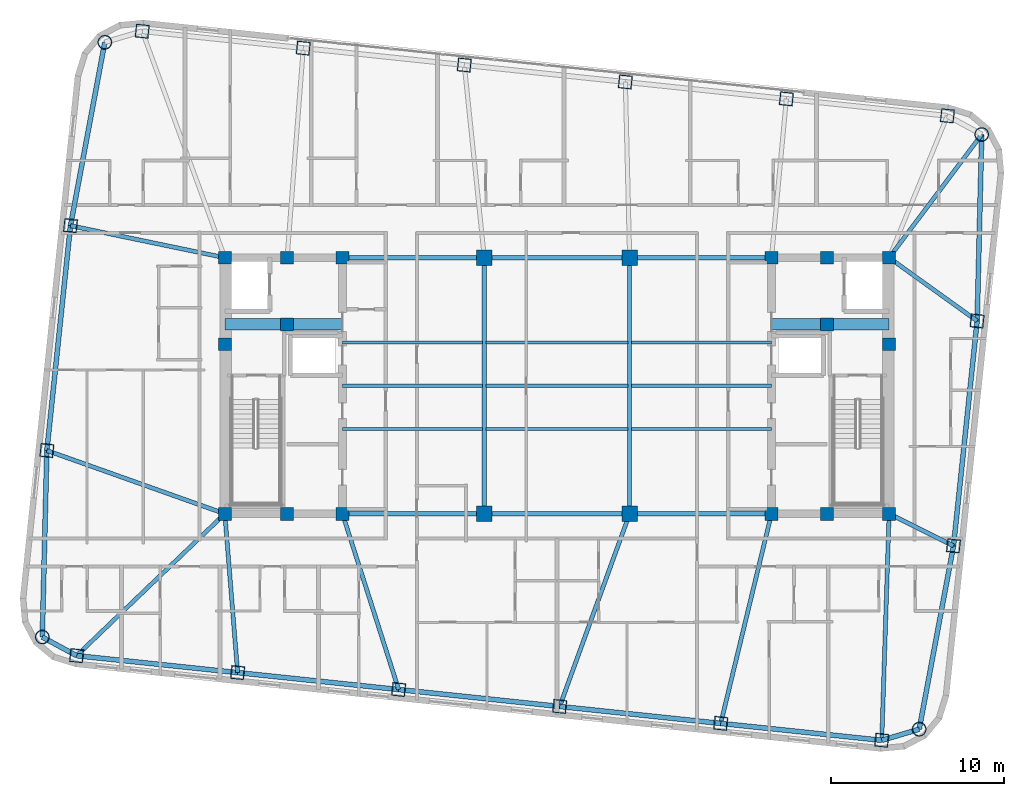
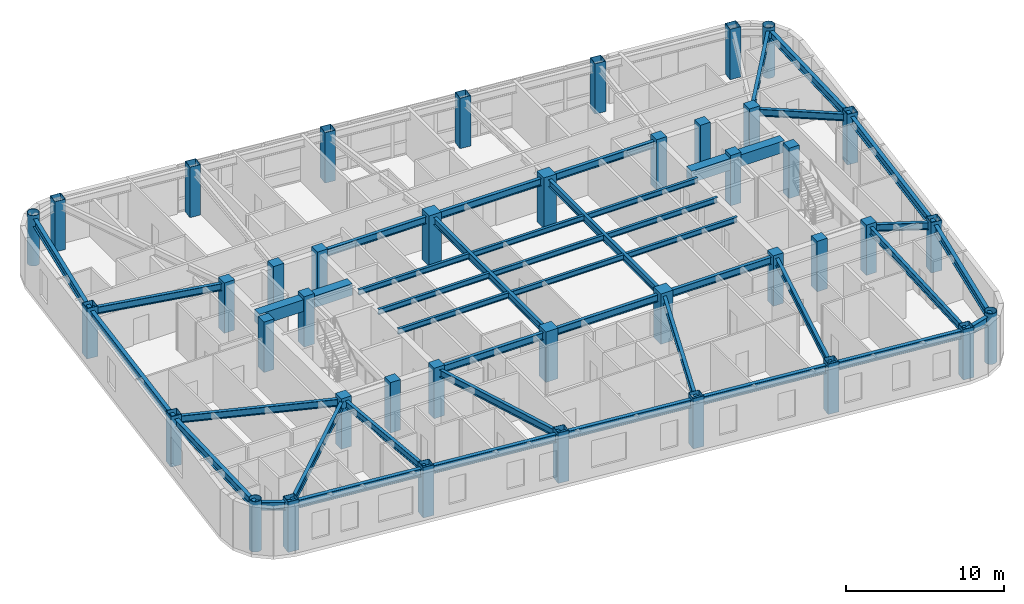
# One storey, part 1 of 15: 43 beams, 40 columns.
"""IFC4 building model written with IfcOpenShell, lengths in metres."""

from ifc_helpers import new_model, si_unit, direction, frame, origin, origin_2d, place, context, subcontext, project, spatial, rectangle, hollow_rectangle, hollow_circle, i_section, extrude, material, material_profile, profile_set, type_object, element, save


model = new_model("IFC4")

# Units and contexts
model_context = context("Model", 3, precision=1e-05, world=origin(), true_north=direction((0.0, 1.0)))
body_context = subcontext(model_context, "Body", "Model", "MODEL_VIEW")
ifc_project = project(units=[si_unit("LENGTHUNIT", "METRE"), si_unit("AREAUNIT", "SQUARE_METRE"), si_unit("VOLUMEUNIT", "CUBIC_METRE"), si_unit("PLANEANGLEUNIT", "RADIAN"), si_unit("MASSUNIT", "GRAM", prefix="KILO")], contexts=[model_context])

# Site, building, storey
site_placement = place(None, origin())
site = spatial("IfcSite", under=ifc_project, at=site_placement, CompositionType="ELEMENT")
building_placement = place(site_placement, origin())
building = spatial("IfcBuilding", under=site, at=building_placement, Name="Voryun Gate Residences", CompositionType="ELEMENT")
storey_placement = place(building_placement, frame((0.0, 0.0, 263.89990234375)))
storey = spatial("IfcBuildingStorey", under=building, at=storey_placement, Name="L65", CompositionType="ELEMENT", Elevation=263.89990234375)

# Columns
ifc_material_1 = material(Name="Concrete C50/60", Category="concrete")
ifc_material_profile_1 = material_profile(ifc_material_1, rectangle(XDim=0.75, YDim=0.75, at=origin_2d()), Name="RC-750x750")
ifc_profile_set_1 = profile_set([ifc_material_profile_1], Name="Concrete C50/60")
column_type_1 = type_object("IfcColumnType", Name="COL_CORE_750", PredefinedType="COLUMN", material=ifc_profile_set_1)
for number, where, z_axis, x_axis, name in (
    (1, (-19.199951171875, -7.39990234375, 0.0), (0.0, 0.0, 1.0), (1.0, 0.0, 0.0), "L65 Core boundary column WC-SW"),
    (2, (-19.199951171875, 2.39990234375, 0.0), (0.0, 0.0, 1.0), (1.0, 0.0, 0.0), "L65 Core boundary column WC-MW"),
    (3, (-19.199951171875, 7.39990234375, 0.0), (0.0, 0.0, 1.0), (1.0, 0.0, 0.0), "L65 Core boundary column WC-NW"),
    (4, (-15.60009765625, -7.39990234375, 0.0), (0.0, 0.0, 1.0), (1.0, 0.0, 0.0), "L65 Core boundary column WC-SM"),
    (5, (-15.60009765625, 7.39990234375, 0.0), (0.0, 0.0, 1.0), (1.0, 0.0, 0.0), "L65 Core boundary column WC-NM"),
    (6, (-12.39990234375, -7.39990234375, 0.0), (0.0, 0.0, 1.0), (1.0, 0.0, 0.0), "L65 Core boundary column WC-SE"),
    (7, (-15.60009765625, 3.550048828125, 0.0), (0.0, 0.0, 1.0), (1.0, 0.0, 0.0), "L65 Core boundary column WC-MM"),
    (8, (-12.39990234375, 7.39990234375, 0.0), (0.0, 0.0, 1.0), (1.0, 0.0, 0.0), "L65 Core boundary column WC-NE"),
    (9, (12.39990234375, -7.39990234375, 0.0), (0.0, 0.0, 1.0), (1.0, 0.0, 0.0), "L65 Core boundary column EC-SW"),
    (10, (15.60009765625, 3.550048828125, 0.0), (0.0, 0.0, 1.0), (1.0, 0.0, 0.0), "L65 Core boundary column EC-MM"),
    (11, (12.39990234375, 7.39990234375, 0.0), (0.0, 0.0, 1.0), (1.0, 0.0, 0.0), "L65 Core boundary column EC-NW"),
    (12, (15.60009765625, -7.39990234375, 0.0), (0.0, 0.0, 1.0), (1.0, 0.0, 0.0), "L65 Core boundary column EC-SM"),
    (13, (15.60009765625, 7.39990234375, 0.0), (0.0, 0.0, 1.0), (1.0, 0.0, 0.0), "L65 Core boundary column EC-NM"),
    (14, (19.199951171875, -7.39990234375, 0.0), (0.0, 0.0, 1.0), (1.0, 0.0, 0.0), "L65 Core boundary column EC-SE"),
    (15, (19.199951171875, 2.39990234375, 0.0), (0.0, 0.0, 1.0), (1.0, 0.0, 0.0), "L65 Core boundary column EC-ME"),
    (16, (19.199951171875, 7.39990234375, 0.0), (0.0, 0.0, 1.0), (1.0, 0.0, 0.0), "L65 Core boundary column EC-NE"),
):
    element("IfcColumn", number, at=place(storey_placement, frame(where, z_axis=z_axis, x_axis=x_axis)), inside=storey, type_object=column_type_1, Name=name, PredefinedType="COLUMN", context=body_context, shape_type="SweptSolid", body=[
        extrude(rectangle(XDim=0.75, YDim=0.75, at=origin_2d()), origin(), (0.0, 0.0, 1.0), 3.900146484375),
    ])
ifc_material_2 = material(Name="Concrete C50/60", Category="concrete")
ifc_material_profile_2 = material_profile(ifc_material_2, rectangle(XDim=0.89990234375, YDim=0.89990234375, at=origin_2d()), Name="RC-900x900")
ifc_profile_set_2 = profile_set([ifc_material_profile_2], Name="Concrete C50/60")
column_type_2 = type_object("IfcColumnType", Name="COL_CORE_900", PredefinedType="COLUMN", material=ifc_profile_set_2)
for number, where, z_axis, x_axis, name in (
    (17, (-4.199951171875, -7.39990234375, 0.0), (0.0, 0.0, 1.0), (1.0, 0.0, 0.0), "L65 Interior spine column SP-WS"),
    (18, (-4.199951171875, 7.39990234375, 0.0), (0.0, 0.0, 1.0), (1.0, 0.0, 0.0), "L65 Interior spine column SP-WN"),
    (19, (4.199951171875, -7.39990234375, 0.0), (0.0, 0.0, 1.0), (1.0, 0.0, 0.0), "L65 Interior spine column SP-ES"),
    (20, (4.199951171875, 7.39990234375, 0.0), (0.0, 0.0, 1.0), (1.0, 0.0, 0.0), "L65 Interior spine column SP-EN"),
):
    element("IfcColumn", number, at=place(storey_placement, frame(where, z_axis=z_axis, x_axis=x_axis)), inside=storey, type_object=column_type_2, Name=name, PredefinedType="COLUMN", context=body_context, shape_type="SweptSolid", body=[
        extrude(rectangle(XDim=0.89990234375, YDim=0.89990234375, at=origin_2d()), origin(), (0.0, 0.0, 1.0), 3.900146484375),
    ])
ifc_material_3 = material(Name="Steel SM355", Category="steel")
ifc_material_profile_3 = material_profile(ifc_material_3, hollow_circle(Radius=0.39990234375, WallThickness=0.028076171875, at=origin_2d()), Name="CHS-800x28")
ifc_profile_set_3 = profile_set([ifc_material_profile_3], Name="Steel SM355")
column_type_3 = type_object("IfcColumnType", Name="COL_CRN_800", PredefinedType="COLUMN", material=ifc_profile_set_3)
for number, where, z_axis, x_axis, name in (
    (21, (20.939453125, -19.855224609375, 0.0), (0.0, 0.0, 1.0), (0.994521895368, -0.104528463268, 0.0), "L65 Exoskeleton column CSE"),
    (22, (24.55322265625, 14.52734375, 0.0), (0.0, 0.0, 1.0), (0.994521895368, -0.104528463268, 0.0), "L65 Exoskeleton column CNE"),
    (23, (-26.139404296875, 19.855224609375, 0.0), (0.0, 0.0, 1.0), (0.994521895368, -0.104528463268, 0.0), "L65 Exoskeleton column CNW"),
    (24, (-29.753173828125, -14.52734375, 0.0), (0.0, 0.0, 1.0), (0.994521895368, -0.104528463268, 0.0), "L65 Exoskeleton column CSW"),
):
    element("IfcColumn", number, at=place(storey_placement, frame(where, z_axis=z_axis, x_axis=x_axis)), inside=storey, type_object=column_type_3, Name=name, PredefinedType="COLUMN", context=body_context, shape_type="SweptSolid", body=[
        extrude(hollow_circle(Radius=0.39990234375, WallThickness=0.028076171875, at=origin_2d()), origin(), (0.0, 0.0, 1.0), 3.900146484375),
    ])
ifc_material_4 = material(Name="Steel SM355", Category="steel")
ifc_material_profile_4 = material_profile(ifc_material_4, hollow_rectangle(XDim=0.75, YDim=0.75, WallThickness=0.02490234375, at=origin_2d()), Name="BOX-750x750x25")
ifc_profile_set_4 = profile_set([ifc_material_profile_4], Name="Steel SM355")
column_type_4 = type_object("IfcColumnType", Name="COL_EXO_B5", PredefinedType="COLUMN", material=ifc_profile_set_4)
for number, where, z_axis, x_axis, name in (
    (25, (-27.76904296875, -15.6044921875, 0.0), (0.0, 0.0, 1.0), (0.994521895368, -0.104528463268, 0.0), "L65 Exoskeleton column S1"),
    (26, (-18.460205078125, -16.5830078125, 0.0), (0.0, 0.0, 1.0), (0.994521895368, -0.104528463268, 0.0), "L65 Exoskeleton column S2"),
    (27, (-9.151611328125, -17.561279296875, 0.0), (0.0, 0.0, 1.0), (0.994521895368, -0.104528463268, 0.0), "L65 Exoskeleton column S3"),
    (28, (0.1572265625, -18.539794921875, 0.0), (0.0, 0.0, 1.0), (0.994521895368, -0.104528463268, 0.0), "L65 Exoskeleton column S4"),
    (29, (9.4658203125, -19.51806640625, 0.0), (0.0, 0.0, 1.0), (0.994521895368, -0.104528463268, 0.0), "L65 Exoskeleton column S5"),
    (30, (18.774658203125, -20.49658203125, 0.0), (0.0, 0.0, 1.0), (0.994521895368, -0.104528463268, 0.0), "L65 Exoskeleton column S6"),
    (31, (22.922607421875, -9.25244140625, 0.0), (0.0, 0.0, 1.0), (0.994521895368, -0.104528463268, 0.0), "L65 Exoskeleton column E1"),
    (32, (24.28857421875, 3.743896484375, 0.0), (0.0, 0.0, 1.0), (0.994521895368, -0.104528463268, 0.0), "L65 Exoskeleton column E2"),
    (33, (22.569091796875, 15.6044921875, 0.0), (0.0, 0.0, 1.0), (0.994521895368, -0.104528463268, 0.0), "L65 Exoskeleton column N1"),
    (34, (13.26025390625, 16.5830078125, 0.0), (0.0, 0.0, 1.0), (0.994521895368, -0.104528463268, 0.0), "L65 Exoskeleton column N2"),
    (35, (3.95166015625, 17.561279296875, 0.0), (0.0, 0.0, 1.0), (0.994521895368, -0.104528463268, 0.0), "L65 Exoskeleton column N3"),
    (36, (-5.357177734375, 18.539794921875, 0.0), (0.0, 0.0, 1.0), (0.994521895368, -0.104528463268, 0.0), "L65 Exoskeleton column N4"),
    (37, (-14.666015625, 19.51806640625, 0.0), (0.0, 0.0, 1.0), (0.994521895368, -0.104528463268, 0.0), "L65 Exoskeleton column N5"),
    (38, (-23.974609375, 20.49658203125, 0.0), (0.0, 0.0, 1.0), (0.994521895368, -0.104528463268, 0.0), "L65 Exoskeleton column N6"),
    (39, (-28.12255859375, 9.25244140625, 0.0), (0.0, 0.0, 1.0), (0.994521895368, -0.104528463268, 0.0), "L65 Exoskeleton column W1"),
    (40, (-29.488525390625, -3.743896484375, 0.0), (0.0, 0.0, 1.0), (0.994521895368, -0.104528463268, 0.0), "L65 Exoskeleton column W2"),
):
    element("IfcColumn", number, at=place(storey_placement, frame(where, z_axis=z_axis, x_axis=x_axis)), inside=storey, type_object=column_type_4, Name=name, PredefinedType="COLUMN", context=body_context, shape_type="SweptSolid", body=[
        extrude(hollow_rectangle(XDim=0.75, YDim=0.75, WallThickness=0.02490234375, at=origin_2d()), origin(), (0.0, 0.0, 1.0), 3.900146484375),
    ])

# Beams
ifc_material_5 = material(Name="Concrete C60/75", Category="concrete")
ifc_material_profile_5 = material_profile(ifc_material_5, rectangle(XDim=0.64990234375, YDim=0.89990234375, at=origin_2d()), Name="RC-650x900")
ifc_profile_set_5 = profile_set([ifc_material_profile_5], Name="Concrete C60/75")
beam_type_1 = type_object("IfcBeamType", Name="BM_COUP_RC900", PredefinedType="LINTEL", material=ifc_profile_set_5)
for number, where, z_axis, x_axis, name in (
    (41, (-19.199951171875, 3.550048828125, 3.2001953125), (1.0, 0.0, 0.0), (0.0, 1.0, 0.0), "BM-L65-WC1"),
    (42, (12.39990234375, 3.550048828125, 3.2001953125), (1.0, 0.0, 0.0), (0.0, 1.0, 0.0), "BM-L65-EC1"),
):
    element("IfcBeam", number, at=place(storey_placement, frame(where, z_axis=z_axis, x_axis=x_axis)), inside=storey, type_object=beam_type_1, Name=name, PredefinedType="LINTEL", context=body_context, shape_type="SweptSolid", body=[
        extrude(rectangle(XDim=0.64990234375, YDim=0.89990234375, at=origin_2d()), origin(), (0.0, 0.0, 1.0), 6.800048828125),
    ])
ifc_material_6 = material(Name="Steel SM355", Category="steel")
ifc_material_profile_6 = material_profile(ifc_material_6, i_section(OverallWidth=0.280029296875, OverallDepth=0.6201171875, WebThickness=0.013916015625, FlangeThickness=0.02197265625, FilletRadius=0.01806640625, at=origin_2d()), Name="H-620x280x14x22")
ifc_profile_set_6 = profile_set([ifc_material_profile_6], Name="Steel SM355")
beam_type_2 = type_object("IfcBeamType", Name="BM_EXO_SPANDREL_H", PredefinedType="SPANDREL", material=ifc_profile_set_6)
beam_1_placement = place(storey_placement, frame((-27.76904296875, -15.6044921875, 3.340087890625), z_axis=(0.994520592114, -0.104540862157, 0.0), x_axis=(0.104540862157, 0.994520592114, 0.0)))
element("IfcBeam", 43, at=beam_1_placement, inside=storey, type_object=beam_type_2, Name="BM-L65-SPAND-01", PredefinedType="SPANDREL", context=body_context, shape_type="SweptSolid", body=[
    extrude(i_section(OverallWidth=0.280029296875, OverallDepth=0.6201171875, WebThickness=0.013916015625, FlangeThickness=0.02197265625, FilletRadius=0.01806640625, at=origin_2d()), origin(), (0.0, 0.0, 1.0), 9.360107421875),
])
beam_2_placement = place(storey_placement, frame((-18.460205078125, -16.5830078125, 3.340087890625), z_axis=(0.994523018663, -0.104517775278, 0.0), x_axis=(0.104517775278, 0.994523018663, 0.0)))
element("IfcBeam", 44, at=beam_2_placement, inside=storey, type_object=beam_type_2, Name="BM-L65-SPAND-02", PredefinedType="SPANDREL", context=body_context, shape_type="SweptSolid", body=[
    extrude(i_section(OverallWidth=0.280029296875, OverallDepth=0.6201171875, WebThickness=0.013916015625, FlangeThickness=0.02197265625, FilletRadius=0.01806640625, at=origin_2d()), origin(), (0.0, 0.0, 1.0), 9.35986328125),
])
beam_3_placement = place(storey_placement, frame((-9.151611328125, -17.561279296875, 3.340087890625), z_axis=(0.994520592114, -0.104540862157, 0.0), x_axis=(0.104540862157, 0.994520592114, 0.0)))
element("IfcBeam", 45, at=beam_3_placement, inside=storey, type_object=beam_type_2, Name="BM-L65-SPAND-03", PredefinedType="SPANDREL", context=body_context, shape_type="SweptSolid", body=[
    extrude(i_section(OverallWidth=0.280029296875, OverallDepth=0.6201171875, WebThickness=0.013916015625, FlangeThickness=0.02197265625, FilletRadius=0.01806640625, at=origin_2d()), origin(), (0.0, 0.0, 1.0), 9.360107421875),
])
beam_4_placement = place(storey_placement, frame((0.1572265625, -18.539794921875, 3.340087890625), z_axis=(0.994523018663, -0.104517775278, 0.0), x_axis=(0.104517775278, 0.994523018663, 0.0)))
element("IfcBeam", 46, at=beam_4_placement, inside=storey, type_object=beam_type_2, Name="BM-L65-SPAND-04", PredefinedType="SPANDREL", context=body_context, shape_type="SweptSolid", body=[
    extrude(i_section(OverallWidth=0.280029296875, OverallDepth=0.6201171875, WebThickness=0.013916015625, FlangeThickness=0.02197265625, FilletRadius=0.01806640625, at=origin_2d()), origin(), (0.0, 0.0, 1.0), 9.35986328125),
])
beam_5_placement = place(storey_placement, frame((9.4658203125, -19.51806640625, 3.340087890625), z_axis=(0.994520592114, -0.104540862157, 0.0), x_axis=(0.104540862157, 0.994520592114, 0.0)))
element("IfcBeam", 47, at=beam_5_placement, inside=storey, type_object=beam_type_2, Name="BM-L65-SPAND-05", PredefinedType="SPANDREL", context=body_context, shape_type="SweptSolid", body=[
    extrude(i_section(OverallWidth=0.280029296875, OverallDepth=0.6201171875, WebThickness=0.013916015625, FlangeThickness=0.02197265625, FilletRadius=0.01806640625, at=origin_2d()), origin(), (0.0, 0.0, 1.0), 9.360107421875),
])
beam_6_placement = place(storey_placement, frame((18.774658203125, -20.49658203125, 3.340087890625), z_axis=(0.958805748412, 0.28406255792, 0.0), x_axis=(-0.28406255792, 0.958805748412, 0.0)))
element("IfcBeam", 48, at=beam_6_placement, inside=storey, type_object=beam_type_2, Name="BM-L65-SPAND-06", PredefinedType="SPANDREL", context=body_context, shape_type="SweptSolid", body=[
    extrude(i_section(OverallWidth=0.280029296875, OverallDepth=0.6201171875, WebThickness=0.013916015625, FlangeThickness=0.02197265625, FilletRadius=0.01806640625, at=origin_2d()), origin(), (0.0, 0.0, 1.0), 2.2578125),
])
beam_7_placement = place(storey_placement, frame((20.939453125, -19.855224609375, 3.340087890625), z_axis=(0.183852585596, 0.982953827384, 0.0), x_axis=(-0.982953827384, 0.183852585596, 0.0)))
element("IfcBeam", 49, at=beam_7_placement, inside=storey, type_object=beam_type_2, Name="BM-L65-SPAND-07", PredefinedType="SPANDREL", context=body_context, shape_type="SweptSolid", body=[
    extrude(i_section(OverallWidth=0.280029296875, OverallDepth=0.6201171875, WebThickness=0.013916015625, FlangeThickness=0.02197265625, FilletRadius=0.01806640625, at=origin_2d()), origin(), (0.0, 0.0, 1.0), 10.78662109375),
])
beam_8_placement = place(storey_placement, frame((22.922607421875, -9.25244140625, 3.340087890625), z_axis=(0.104528209082, 0.994521922084, 0.0), x_axis=(-0.994521922084, 0.104528209082, 0.0)))
element("IfcBeam", 50, at=beam_8_placement, inside=storey, type_object=beam_type_2, Name="BM-L65-SPAND-08", PredefinedType="SPANDREL", context=body_context, shape_type="SweptSolid", body=[
    extrude(i_section(OverallWidth=0.280029296875, OverallDepth=0.6201171875, WebThickness=0.013916015625, FlangeThickness=0.02197265625, FilletRadius=0.01806640625, at=origin_2d()), origin(), (0.0, 0.0, 1.0), 13.06787109375),
])
for number, where, z_axis, x_axis, name in (
    (51, (24.28857421875, 3.743896484375, 3.340087890625), (0.024534711967, 0.999698978647, 0.0), (-0.999698978647, 0.024534711967, 0.0), "BM-L65-SPAND-09"),
    (52, (-26.139404296875, 19.855224609375, 3.340087890625), (-0.183852585596, -0.982953827384, 0.0), (0.982953827384, -0.183852585596, 0.0), "BM-L65-SPAND-17"),
):
    element("IfcBeam", number, at=place(storey_placement, frame(where, z_axis=z_axis, x_axis=x_axis)), inside=storey, type_object=beam_type_2, Name=name, PredefinedType="SPANDREL", context=body_context, shape_type="SweptSolid", body=[
        extrude(i_section(OverallWidth=0.280029296875, OverallDepth=0.6201171875, WebThickness=0.013916015625, FlangeThickness=0.02197265625, FilletRadius=0.01806640625, at=origin_2d()), origin(), (0.0, 0.0, 1.0), 10.78662109375),
    ])
beam_9_placement = place(storey_placement, frame((-28.12255859375, 9.25244140625, 3.340087890625), z_axis=(-0.104528209082, -0.994521922084, 0.0), x_axis=(0.994521922084, -0.104528209082, 0.0)))
element("IfcBeam", 53, at=beam_9_placement, inside=storey, type_object=beam_type_2, Name="BM-L65-SPAND-18", PredefinedType="SPANDREL", context=body_context, shape_type="SweptSolid", body=[
    extrude(i_section(OverallWidth=0.280029296875, OverallDepth=0.6201171875, WebThickness=0.013916015625, FlangeThickness=0.02197265625, FilletRadius=0.01806640625, at=origin_2d()), origin(), (0.0, 0.0, 1.0), 13.06787109375),
])
beam_10_placement = place(storey_placement, frame((-29.488525390625, -3.743896484375, 3.340087890625), z_axis=(-0.024534711967, -0.999698978647, 0.0), x_axis=(0.999698978647, -0.024534711967, 0.0)))
element("IfcBeam", 54, at=beam_10_placement, inside=storey, type_object=beam_type_2, Name="BM-L65-SPAND-19", PredefinedType="SPANDREL", context=body_context, shape_type="SweptSolid", body=[
    extrude(i_section(OverallWidth=0.280029296875, OverallDepth=0.6201171875, WebThickness=0.013916015625, FlangeThickness=0.02197265625, FilletRadius=0.01806640625, at=origin_2d()), origin(), (0.0, 0.0, 1.0), 10.78662109375),
])
beam_11_placement = place(storey_placement, frame((-29.753173828125, -14.52734375, 3.340087890625), z_axis=(0.878844363117, -0.477108567746, 0.0), x_axis=(0.477108567746, 0.878844363117, 0.0)))
element("IfcBeam", 55, at=beam_11_placement, inside=storey, type_object=beam_type_2, Name="BM-L65-SPAND-20", PredefinedType="SPANDREL", context=body_context, shape_type="SweptSolid", body=[
    extrude(i_section(OverallWidth=0.280029296875, OverallDepth=0.6201171875, WebThickness=0.013916015625, FlangeThickness=0.02197265625, FilletRadius=0.01806640625, at=origin_2d()), origin(), (0.0, 0.0, 1.0), 2.257568359375),
])
ifc_material_7 = material(Name="Steel SM355", Category="steel")
ifc_material_profile_7 = material_profile(ifc_material_7, i_section(OverallWidth=0.239990234375, OverallDepth=0.550048828125, WebThickness=0.011962890625, FlangeThickness=0.02001953125, FilletRadius=0.01806640625, at=origin_2d()), Name="H-550x240x12x20")
ifc_profile_set_7 = profile_set([ifc_material_profile_7], Name="Steel SM355")
beam_type_3 = type_object("IfcBeamType", Name="BM_GIRD_550", PredefinedType="USERDEFINED", material=ifc_profile_set_7)
beam_12_placement = place(storey_placement, frame((-12.39990234375, -7.39990234375, 3.375), z_axis=(1.0, 0.0, 0.0), x_axis=(0.0, 1.0, 0.0)))
element("IfcBeam", 56, at=beam_12_placement, inside=storey, type_object=beam_type_3, Name="BM-L65-SPG1-S", ObjectType="GIRDER", PredefinedType="USERDEFINED", context=body_context, shape_type="SweptSolid", body=[
    extrude(i_section(OverallWidth=0.239990234375, OverallDepth=0.550048828125, WebThickness=0.011962890625, FlangeThickness=0.02001953125, FilletRadius=0.01806640625, at=origin_2d()), origin(), (0.0, 0.0, 1.0), 8.199951171875),
])
beam_13_placement = place(storey_placement, frame((-4.199951171875, -7.39990234375, 3.375), z_axis=(1.0, 0.0, 0.0), x_axis=(0.0, 1.0, 0.0)))
element("IfcBeam", 57, at=beam_13_placement, inside=storey, type_object=beam_type_3, Name="BM-L65-SPG2-S", ObjectType="GIRDER", PredefinedType="USERDEFINED", context=body_context, shape_type="SweptSolid", body=[
    extrude(i_section(OverallWidth=0.239990234375, OverallDepth=0.550048828125, WebThickness=0.011962890625, FlangeThickness=0.02001953125, FilletRadius=0.01806640625, at=origin_2d()), origin(), (0.0, 0.0, 1.0), 8.39990234375),
])
for number, where, z_axis, x_axis, name in (
    (58, (4.199951171875, -7.39990234375, 3.375), (1.0, 0.0, 0.0), (0.0, 1.0, 0.0), "BM-L65-SPG3-S"),
    (59, (-12.39990234375, 7.39990234375, 3.375), (1.0, 0.0, 0.0), (0.0, 1.0, 0.0), "BM-L65-SPG1-N"),
):
    element("IfcBeam", number, at=place(storey_placement, frame(where, z_axis=z_axis, x_axis=x_axis)), inside=storey, type_object=beam_type_3, Name=name, ObjectType="GIRDER", PredefinedType="USERDEFINED", context=body_context, shape_type="SweptSolid", body=[
        extrude(i_section(OverallWidth=0.239990234375, OverallDepth=0.550048828125, WebThickness=0.011962890625, FlangeThickness=0.02001953125, FilletRadius=0.01806640625, at=origin_2d()), origin(), (0.0, 0.0, 1.0), 8.199951171875),
    ])
beam_14_placement = place(storey_placement, frame((-4.199951171875, 7.39990234375, 3.375), z_axis=(1.0, 0.0, 0.0), x_axis=(0.0, 1.0, 0.0)))
element("IfcBeam", 60, at=beam_14_placement, inside=storey, type_object=beam_type_3, Name="BM-L65-SPG2-N", ObjectType="GIRDER", PredefinedType="USERDEFINED", context=body_context, shape_type="SweptSolid", body=[
    extrude(i_section(OverallWidth=0.239990234375, OverallDepth=0.550048828125, WebThickness=0.011962890625, FlangeThickness=0.02001953125, FilletRadius=0.01806640625, at=origin_2d()), origin(), (0.0, 0.0, 1.0), 8.39990234375),
])
beam_15_placement = place(storey_placement, frame((4.199951171875, 7.39990234375, 3.375), z_axis=(1.0, 0.0, 0.0), x_axis=(0.0, 1.0, 0.0)))
element("IfcBeam", 61, at=beam_15_placement, inside=storey, type_object=beam_type_3, Name="BM-L65-SPG3-N", ObjectType="GIRDER", PredefinedType="USERDEFINED", context=body_context, shape_type="SweptSolid", body=[
    extrude(i_section(OverallWidth=0.239990234375, OverallDepth=0.550048828125, WebThickness=0.011962890625, FlangeThickness=0.02001953125, FilletRadius=0.01806640625, at=origin_2d()), origin(), (0.0, 0.0, 1.0), 8.199951171875),
])
for number, where, z_axis, x_axis, name in (
    (62, (-4.199951171875, -7.39990234375, 3.375), (0.0, 1.0, 0.0), (-1.0, 0.0, 0.0), "BM-L65-SPX-W"),
    (63, (4.199951171875, -7.39990234375, 3.375), (0.0, 1.0, 0.0), (-1.0, 0.0, 0.0), "BM-L65-SPX-E"),
):
    element("IfcBeam", number, at=place(storey_placement, frame(where, z_axis=z_axis, x_axis=x_axis)), inside=storey, type_object=beam_type_3, Name=name, ObjectType="GIRDER", PredefinedType="USERDEFINED", context=body_context, shape_type="SweptSolid", body=[
        extrude(i_section(OverallWidth=0.239990234375, OverallDepth=0.550048828125, WebThickness=0.011962890625, FlangeThickness=0.02001953125, FilletRadius=0.01806640625, at=origin_2d()), origin(), (0.0, 0.0, 1.0), 14.7998046875),
    ])
beam_16_placement = place(storey_placement, frame((-19.199951171875, -7.39990234375, 3.375), z_axis=(-0.722302104769, -0.691577666966, 0.0), x_axis=(0.691577666966, -0.722302104769, 0.0)))
element("IfcBeam", 64, at=beam_16_placement, inside=storey, type_object=beam_type_3, Name="BM-L65-RAD-S1", ObjectType="GIRDER", PredefinedType="USERDEFINED", context=body_context, shape_type="SweptSolid", body=[
    extrude(i_section(OverallWidth=0.239990234375, OverallDepth=0.550048828125, WebThickness=0.011962890625, FlangeThickness=0.02001953125, FilletRadius=0.01806640625, at=origin_2d()), origin(), (0.0, 0.0, 1.0), 11.863525390625),
])
beam_17_placement = place(storey_placement, frame((-19.199951171875, -7.39990234375, 3.375), z_axis=(0.080295011504, -0.996771142804, 0.0), x_axis=(0.996771142804, 0.080295011504, 0.0)))
element("IfcBeam", 65, at=beam_17_placement, inside=storey, type_object=beam_type_3, Name="BM-L65-RAD-S2", ObjectType="GIRDER", PredefinedType="USERDEFINED", context=body_context, shape_type="SweptSolid", body=[
    extrude(i_section(OverallWidth=0.239990234375, OverallDepth=0.550048828125, WebThickness=0.011962890625, FlangeThickness=0.02001953125, FilletRadius=0.01806640625, at=origin_2d()), origin(), (0.0, 0.0, 1.0), 9.212890625),
])
beam_18_placement = place(storey_placement, frame((-12.39990234375, -7.39990234375, 3.375), z_axis=(0.30449089095, -0.952515247819, 0.0), x_axis=(0.952515247819, 0.30449089095, 0.0)))
element("IfcBeam", 66, at=beam_18_placement, inside=storey, type_object=beam_type_3, Name="BM-L65-RAD-S3", ObjectType="GIRDER", PredefinedType="USERDEFINED", context=body_context, shape_type="SweptSolid", body=[
    extrude(i_section(OverallWidth=0.239990234375, OverallDepth=0.550048828125, WebThickness=0.011962890625, FlangeThickness=0.02001953125, FilletRadius=0.01806640625, at=origin_2d()), origin(), (0.0, 0.0, 1.0), 10.66796875),
])
beam_19_placement = place(storey_placement, frame((4.199951171875, -7.39990234375, 3.375), z_axis=(-0.341135931896, -0.940013976476, 0.0), x_axis=(0.940013976476, -0.341135931896, 0.0)))
element("IfcBeam", 67, at=beam_19_placement, inside=storey, type_object=beam_type_3, Name="BM-L65-RAD-S4", ObjectType="GIRDER", PredefinedType="USERDEFINED", context=body_context, shape_type="SweptSolid", body=[
    extrude(i_section(OverallWidth=0.239990234375, OverallDepth=0.550048828125, WebThickness=0.011962890625, FlangeThickness=0.02001953125, FilletRadius=0.01806640625, at=origin_2d()), origin(), (0.0, 0.0, 1.0), 11.850830078125),
])
beam_20_placement = place(storey_placement, frame((12.39990234375, -7.39990234375, 3.375), z_axis=(-0.235323166357, -0.971917181336, 0.0), x_axis=(0.971917181336, -0.235323166357, 0.0)))
element("IfcBeam", 68, at=beam_20_placement, inside=storey, type_object=beam_type_3, Name="BM-L65-RAD-S5", ObjectType="GIRDER", PredefinedType="USERDEFINED", context=body_context, shape_type="SweptSolid", body=[
    extrude(i_section(OverallWidth=0.239990234375, OverallDepth=0.550048828125, WebThickness=0.011962890625, FlangeThickness=0.02001953125, FilletRadius=0.01806640625, at=origin_2d()), origin(), (0.0, 0.0, 1.0), 12.46826171875),
])
beam_21_placement = place(storey_placement, frame((19.199951171875, -7.39990234375, 3.375), z_axis=(-0.032456234446, -0.999473157641, 0.0), x_axis=(0.999473157641, -0.032456234446, 0.0)))
element("IfcBeam", 69, at=beam_21_placement, inside=storey, type_object=beam_type_3, Name="BM-L65-RAD-S6", ObjectType="GIRDER", PredefinedType="USERDEFINED", context=body_context, shape_type="SweptSolid", body=[
    extrude(i_section(OverallWidth=0.239990234375, OverallDepth=0.550048828125, WebThickness=0.011962890625, FlangeThickness=0.02001953125, FilletRadius=0.01806640625, at=origin_2d()), origin(), (0.0, 0.0, 1.0), 13.103515625),
])
beam_22_placement = place(storey_placement, frame((19.199951171875, -7.39990234375, 3.375), z_axis=(0.895271074172, -0.445521833081, 0.0), x_axis=(0.445521833081, 0.895271074172, 0.0)))
element("IfcBeam", 70, at=beam_22_placement, inside=storey, type_object=beam_type_3, Name="BM-L65-RAD-E1", ObjectType="GIRDER", PredefinedType="USERDEFINED", context=body_context, shape_type="SweptSolid", body=[
    extrude(i_section(OverallWidth=0.239990234375, OverallDepth=0.550048828125, WebThickness=0.011962890625, FlangeThickness=0.02001953125, FilletRadius=0.01806640625, at=origin_2d()), origin(), (0.0, 0.0, 1.0), 4.158203125),
])
beam_23_placement = place(storey_placement, frame((19.199951171875, 7.39990234375, 3.375), z_axis=(0.81212442094, -0.583484297058, 0.0), x_axis=(0.583484297058, 0.81212442094, 0.0)))
element("IfcBeam", 71, at=beam_23_placement, inside=storey, type_object=beam_type_3, Name="BM-L65-RAD-E2", ObjectType="GIRDER", PredefinedType="USERDEFINED", context=body_context, shape_type="SweptSolid", body=[
    extrude(i_section(OverallWidth=0.239990234375, OverallDepth=0.550048828125, WebThickness=0.011962890625, FlangeThickness=0.02001953125, FilletRadius=0.01806640625, at=origin_2d()), origin(), (0.0, 0.0, 1.0), 6.265869140625),
])
beam_24_placement = place(storey_placement, frame((19.199951171875, 7.39990234375, 3.375), z_axis=(0.60055201327, 0.799585692316, 0.0), x_axis=(-0.799585692316, 0.60055201327, 0.0)))
element("IfcBeam", 72, at=beam_24_placement, inside=storey, type_object=beam_type_3, Name="BM-L65-RAD-CNE", ObjectType="GIRDER", PredefinedType="USERDEFINED", context=body_context, shape_type="SweptSolid", body=[
    extrude(i_section(OverallWidth=0.239990234375, OverallDepth=0.550048828125, WebThickness=0.011962890625, FlangeThickness=0.02001953125, FilletRadius=0.01806640625, at=origin_2d()), origin(), (0.0, 0.0, 1.0), 8.913818359375),
])
beam_25_placement = place(storey_placement, frame((-19.199951171875, 7.39990234375, 3.375), z_axis=(-0.979119049711, 0.203287693907, 0.0), x_axis=(-0.203287693907, -0.979119049711, 0.0)))
element("IfcBeam", 73, at=beam_25_placement, inside=storey, type_object=beam_type_3, Name="BM-L65-RAD-W1", ObjectType="GIRDER", PredefinedType="USERDEFINED", context=body_context, shape_type="SweptSolid", body=[
    extrude(i_section(OverallWidth=0.239990234375, OverallDepth=0.550048828125, WebThickness=0.011962890625, FlangeThickness=0.02001953125, FilletRadius=0.01806640625, at=origin_2d()), origin(), (0.0, 0.0, 1.0), 9.11279296875),
])
beam_26_placement = place(storey_placement, frame((-19.199951171875, -7.39990234375, 3.375), z_axis=(-0.942276939669, 0.334834539688, 0.0), x_axis=(-0.334834539688, -0.942276939669, 0.0)))
element("IfcBeam", 74, at=beam_26_placement, inside=storey, type_object=beam_type_3, Name="BM-L65-RAD-W2", ObjectType="GIRDER", PredefinedType="USERDEFINED", context=body_context, shape_type="SweptSolid", body=[
    extrude(i_section(OverallWidth=0.239990234375, OverallDepth=0.550048828125, WebThickness=0.011962890625, FlangeThickness=0.02001953125, FilletRadius=0.01806640625, at=origin_2d()), origin(), (0.0, 0.0, 1.0), 10.9189453125),
])
ifc_material_8 = material(Name="Steel SM355", Category="steel")
ifc_material_profile_8 = material_profile(ifc_material_8, i_section(OverallWidth=0.18994140625, OverallDepth=0.419921875, WebThickness=0.009033203125, FlangeThickness=0.01611328125, FilletRadius=0.01806640625, at=origin_2d()), Name="H-420x190x9x16")
ifc_profile_set_8 = profile_set([ifc_material_profile_8], Name="Steel SM355")
beam_type_4 = type_object("IfcBeamType", Name="BM_SEC_420", PredefinedType="BEAM", material=ifc_profile_set_8)
beam_27_placement = place(storey_placement, frame((-12.39990234375, -2.5, 3.440185546875), z_axis=(1.0, 0.0, 0.0), x_axis=(0.0, 1.0, 0.0)))
element("IfcBeam", 75, at=beam_27_placement, inside=storey, type_object=beam_type_4, Name="BM-L65-SEC-CS1", PredefinedType="BEAM", context=body_context, shape_type="SweptSolid", body=[
    extrude(i_section(OverallWidth=0.18994140625, OverallDepth=0.419921875, WebThickness=0.009033203125, FlangeThickness=0.01611328125, FilletRadius=0.01806640625, at=origin_2d()), origin(), (0.0, 0.0, 1.0), 8.099853515625),
])
beam_28_placement = place(storey_placement, frame((-4.10009765625, -2.5, 3.440185546875), z_axis=(1.0, 0.0, 0.0), x_axis=(0.0, 1.0, 0.0)))
element("IfcBeam", 76, at=beam_28_placement, inside=storey, type_object=beam_type_4, Name="BM-L65-SEC-CS2", PredefinedType="BEAM", context=body_context, shape_type="SweptSolid", body=[
    extrude(i_section(OverallWidth=0.18994140625, OverallDepth=0.419921875, WebThickness=0.009033203125, FlangeThickness=0.01611328125, FilletRadius=0.01806640625, at=origin_2d()), origin(), (0.0, 0.0, 1.0), 8.2001953125),
])
for number, where, z_axis, x_axis, name in (
    (77, (4.300048828125, -2.5, 3.440185546875), (1.0, 0.0, 0.0), (0.0, 1.0, 0.0), "BM-L65-SEC-CS3"),
    (78, (-12.39990234375, 0.0, 3.440185546875), (1.0, 0.0, 0.0), (0.0, 1.0, 0.0), "BM-L65-SEC-CM1"),
):
    element("IfcBeam", number, at=place(storey_placement, frame(where, z_axis=z_axis, x_axis=x_axis)), inside=storey, type_object=beam_type_4, Name=name, PredefinedType="BEAM", context=body_context, shape_type="SweptSolid", body=[
        extrude(i_section(OverallWidth=0.18994140625, OverallDepth=0.419921875, WebThickness=0.009033203125, FlangeThickness=0.01611328125, FilletRadius=0.01806640625, at=origin_2d()), origin(), (0.0, 0.0, 1.0), 8.099853515625),
    ])
beam_29_placement = place(storey_placement, frame((-4.10009765625, 0.0, 3.440185546875), z_axis=(1.0, 0.0, 0.0), x_axis=(0.0, 1.0, 0.0)))
element("IfcBeam", 79, at=beam_29_placement, inside=storey, type_object=beam_type_4, Name="BM-L65-SEC-CM2", PredefinedType="BEAM", context=body_context, shape_type="SweptSolid", body=[
    extrude(i_section(OverallWidth=0.18994140625, OverallDepth=0.419921875, WebThickness=0.009033203125, FlangeThickness=0.01611328125, FilletRadius=0.01806640625, at=origin_2d()), origin(), (0.0, 0.0, 1.0), 8.2001953125),
])
for number, where, z_axis, x_axis, name in (
    (80, (4.300048828125, 0.0, 3.440185546875), (1.0, 0.0, 0.0), (0.0, 1.0, 0.0), "BM-L65-SEC-CM3"),
    (81, (-12.39990234375, 2.5, 3.440185546875), (1.0, 0.0, 0.0), (0.0, 1.0, 0.0), "BM-L65-SEC-CN1"),
):
    element("IfcBeam", number, at=place(storey_placement, frame(where, z_axis=z_axis, x_axis=x_axis)), inside=storey, type_object=beam_type_4, Name=name, PredefinedType="BEAM", context=body_context, shape_type="SweptSolid", body=[
        extrude(i_section(OverallWidth=0.18994140625, OverallDepth=0.419921875, WebThickness=0.009033203125, FlangeThickness=0.01611328125, FilletRadius=0.01806640625, at=origin_2d()), origin(), (0.0, 0.0, 1.0), 8.099853515625),
    ])
beam_30_placement = place(storey_placement, frame((-4.10009765625, 2.5, 3.440185546875), z_axis=(1.0, 0.0, 0.0), x_axis=(0.0, 1.0, 0.0)))
element("IfcBeam", 82, at=beam_30_placement, inside=storey, type_object=beam_type_4, Name="BM-L65-SEC-CN2", PredefinedType="BEAM", context=body_context, shape_type="SweptSolid", body=[
    extrude(i_section(OverallWidth=0.18994140625, OverallDepth=0.419921875, WebThickness=0.009033203125, FlangeThickness=0.01611328125, FilletRadius=0.01806640625, at=origin_2d()), origin(), (0.0, 0.0, 1.0), 8.2001953125),
])
beam_31_placement = place(storey_placement, frame((4.300048828125, 2.5, 3.440185546875), z_axis=(1.0, 0.0, 0.0), x_axis=(0.0, 1.0, 0.0)))
element("IfcBeam", 83, at=beam_31_placement, inside=storey, type_object=beam_type_4, Name="BM-L65-SEC-CN3", PredefinedType="BEAM", context=body_context, shape_type="SweptSolid", body=[
    extrude(i_section(OverallWidth=0.18994140625, OverallDepth=0.419921875, WebThickness=0.009033203125, FlangeThickness=0.01611328125, FilletRadius=0.01806640625, at=origin_2d()), origin(), (0.0, 0.0, 1.0), 8.099853515625),
])

save(model, "model.ifc")
